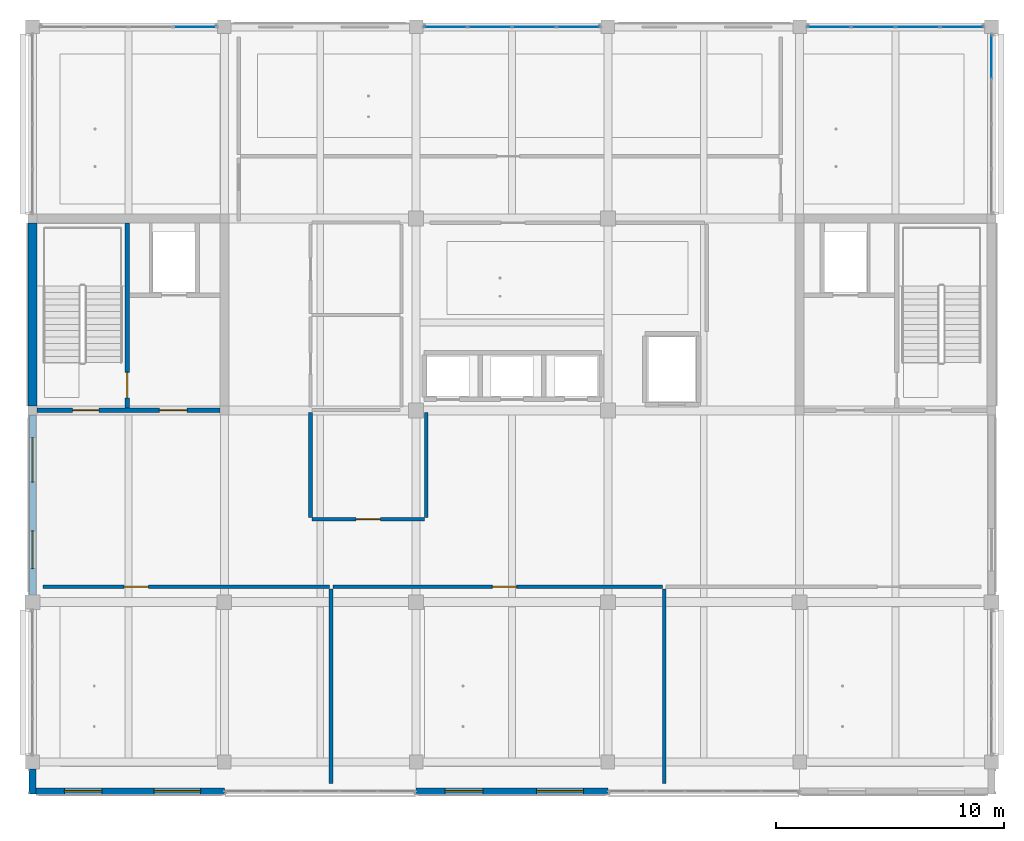
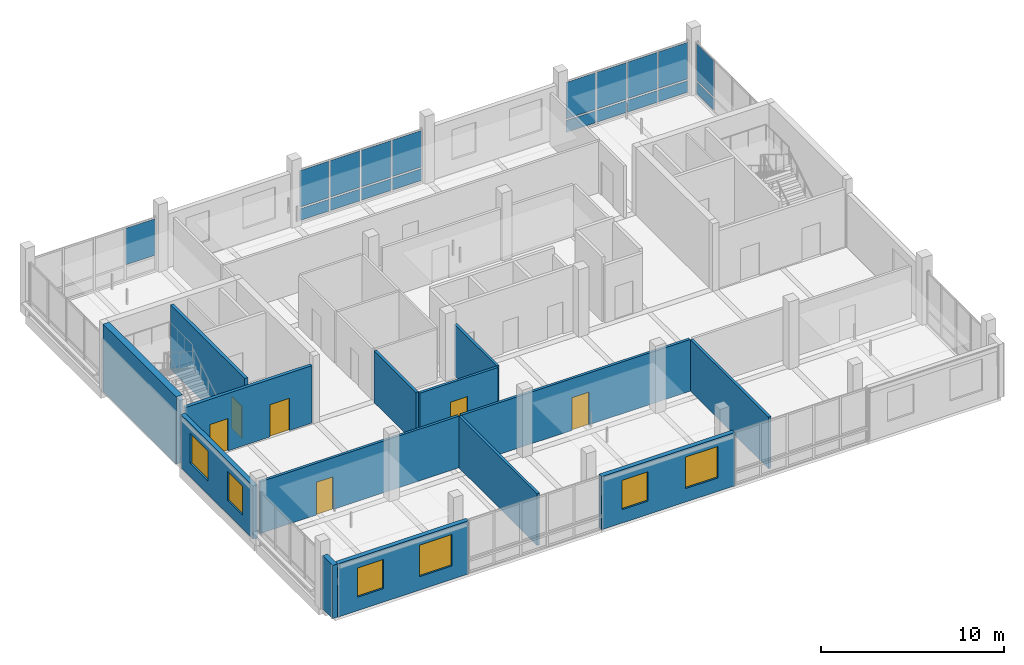
# One storey, part 11 of 29: 19 plates, 14 walls, 6 doors, 6 windows, 12 openings, 4 elements without a shape of their own.
"""IFC4 building model written with IfcOpenShell, lengths in metres."""

from ifc_helpers import new_model, si_unit, direction, frame, frame_2d, origin, origin_2d, place, context, subcontext, project, spatial, rectangle, extrude, material, layer, layer_set, type_object, element, fill, aggregate, save


model = new_model("IFC4")

# Units and contexts
model_context = context("Model", 3, precision=1e-05, world=origin(), true_north=direction((0.0, 1.0)))
body_context = subcontext(model_context, "Body", "Model", "MODEL_VIEW")
ifc_project = project(units=[si_unit("LENGTHUNIT", "METRE"), si_unit("AREAUNIT", "SQUARE_METRE"), si_unit("VOLUMEUNIT", "CUBIC_METRE"), si_unit("PLANEANGLEUNIT", "RADIAN"), si_unit("MASSUNIT", "GRAM", prefix="KILO")], contexts=[model_context])

# Site, building, storey
site_placement = place(None, origin())
site = spatial("IfcSite", under=ifc_project, at=site_placement, CompositionType="ELEMENT")
building_placement = place(site_placement, origin())
building = spatial("IfcBuilding", under=site, at=building_placement, Name="Telukmera Botanical Conservatory", CompositionType="ELEMENT")
storey_placement = place(building_placement, frame((0.0, 0.0, 55.5)))
storey = spatial("IfcBuildingStorey", under=building, at=storey_placement, Name="L12", CompositionType="ELEMENT", Elevation=55.5)

# Curtain wall, plate
ifc_material_1 = material(Name="Anodised aluminium 6063-T6", Category="aluminium")
ifc_layer_1 = layer(ifc_material_1, 0.179931640625)
ifc_layer_set_1 = layer_set([ifc_layer_1], Name="Anodised aluminium 6063-T6")
curtain_wall_type = type_object("IfcCurtainWallType", Name="Tower Research Laboratory Unitised Curtain Wall", PredefinedType="USERDEFINED", material=ifc_layer_set_1)
curtain_wall_1_placement = place(storey_placement, origin())
curtain_wall_1 = element("IfcCurtainWall", 1, at=curtain_wall_1_placement, inside=storey, type_object=curtain_wall_type, Name="Unitised Curtain Wall CW15 V4:L12:N1", ObjectType="UNITISED CURTAIN WALL", PredefinedType="USERDEFINED")
ifc_material_2 = material(Name="Spectrally selective low-E double glazing", Category="glass")
ifc_layer_2 = layer(ifc_material_2, 0.028076171875)
ifc_layer_set_2 = layer_set([ifc_layer_2], Name="Spectrally selective low-E double glazing")
plate_type = type_object("IfcPlateType", Name="Spectrally Selective Vision Double Glazing Panel 28", PredefinedType="CURTAIN_PANEL", material=ifc_layer_set_2)
plate_1_placement = place(storey_placement, frame((65.908447265625, 42.800048828125, 1.0048828125), z_axis=(0.0, 0.0, 1.0), x_axis=(1.0, 0.0, 0.0)))
plate_1 = element("IfcPlate", 2, at=plate_1_placement, type_object=plate_type, Name="CW15 panel 4.2", PredefinedType="CURTAIN_PANEL", context=body_context, shape_type="SweptSolid", body=[
    extrude(rectangle(XDim=1.85888671875, YDim=0.028076171875, at=origin_2d()), origin(), (0.0, 0.0, 1.0), 2.43505859375),
])
aggregate(curtain_wall_1, [plate_1])

# Curtain wall, plates
curtain_wall_2_placement = place(storey_placement, origin())
curtain_wall_2 = element("IfcCurtainWall", 3, at=curtain_wall_2_placement, inside=storey, type_object=curtain_wall_type, Name="Unitised Curtain Wall CW15 V4:L12:N3", ObjectType="UNITISED CURTAIN WALL", PredefinedType="USERDEFINED")
plate_2_placement = place(storey_placement, frame((76.8916015625, 42.800048828125, 0.10986328125), z_axis=(0.0, 0.0, 1.0), x_axis=(1.0, 0.0, 0.0)))
plate_2 = element("IfcPlate", 4, at=plate_2_placement, type_object=plate_type, Name="CW15 panel 1.1", PredefinedType="CURTAIN_PANEL", context=body_context, shape_type="SweptSolid", body=[
    extrude(rectangle(XDim=1.85888671875, YDim=0.028076171875, at=origin_2d()), origin(), (0.0, 0.0, 1.0), 0.784912109375),
])
plate_3_placement = place(storey_placement, frame((76.8916015625, 42.800048828125, 1.0048828125), z_axis=(0.0, 0.0, 1.0), x_axis=(1.0, 0.0, 0.0)))
plate_3 = element("IfcPlate", 5, at=plate_3_placement, type_object=plate_type, Name="CW15 panel 1.2", PredefinedType="CURTAIN_PANEL", context=body_context, shape_type="SweptSolid", body=[
    extrude(rectangle(XDim=1.85888671875, YDim=0.028076171875, at=origin_2d()), origin(), (0.0, 0.0, 1.0), 2.43505859375),
])
plate_4_placement = place(storey_placement, frame((78.825439453125, 42.800048828125, 0.10986328125), z_axis=(0.0, 0.0, 1.0), x_axis=(1.0, 0.0, 0.0)))
plate_4 = element("IfcPlate", 6, at=plate_4_placement, type_object=plate_type, Name="CW15 panel 2.1", PredefinedType="CURTAIN_PANEL", context=body_context, shape_type="SweptSolid", body=[
    extrude(rectangle(XDim=1.888916015625, YDim=0.028076171875, at=origin_2d()), origin(), (0.0, 0.0, 1.0), 0.784912109375),
])
plate_5_placement = place(storey_placement, frame((78.825439453125, 42.800048828125, 1.0048828125), z_axis=(0.0, 0.0, 1.0), x_axis=(1.0, 0.0, 0.0)))
plate_5 = element("IfcPlate", 7, at=plate_5_placement, type_object=plate_type, Name="CW15 panel 2.2", PredefinedType="CURTAIN_PANEL", context=body_context, shape_type="SweptSolid", body=[
    extrude(rectangle(XDim=1.888916015625, YDim=0.028076171875, at=origin_2d()), origin(), (0.0, 0.0, 1.0), 2.43505859375),
])
plate_6_placement = place(storey_placement, frame((80.7744140625, 42.800048828125, 0.10986328125), z_axis=(0.0, 0.0, 1.0), x_axis=(1.0, 0.0, 0.0)))
plate_6 = element("IfcPlate", 8, at=plate_6_placement, type_object=plate_type, Name="CW15 panel 3.1", PredefinedType="CURTAIN_PANEL", context=body_context, shape_type="SweptSolid", body=[
    extrude(rectangle(XDim=1.888916015625, YDim=0.028076171875, at=origin_2d()), origin(), (0.0, 0.0, 1.0), 0.784912109375),
])
plate_7_placement = place(storey_placement, frame((80.7744140625, 42.800048828125, 1.0048828125), z_axis=(0.0, 0.0, 1.0), x_axis=(1.0, 0.0, 0.0)))
plate_7 = element("IfcPlate", 9, at=plate_7_placement, type_object=plate_type, Name="CW15 panel 3.2", PredefinedType="CURTAIN_PANEL", context=body_context, shape_type="SweptSolid", body=[
    extrude(rectangle(XDim=1.888916015625, YDim=0.028076171875, at=origin_2d()), origin(), (0.0, 0.0, 1.0), 2.43505859375),
])
plate_8_placement = place(storey_placement, frame((82.70849609375, 42.800048828125, 0.10986328125), z_axis=(0.0, 0.0, 1.0), x_axis=(1.0, 0.0, 0.0)))
plate_8 = element("IfcPlate", 10, at=plate_8_placement, type_object=plate_type, Name="CW15 panel 4.1", PredefinedType="CURTAIN_PANEL", context=body_context, shape_type="SweptSolid", body=[
    extrude(rectangle(XDim=1.85888671875, YDim=0.028076171875, at=origin_2d()), origin(), (0.0, 0.0, 1.0), 0.784912109375),
])
plate_9_placement = place(storey_placement, frame((82.70849609375, 42.800048828125, 1.0048828125), z_axis=(0.0, 0.0, 1.0), x_axis=(1.0, 0.0, 0.0)))
plate_9 = element("IfcPlate", 11, at=plate_9_placement, type_object=plate_type, Name="CW15 panel 4.2", PredefinedType="CURTAIN_PANEL", context=body_context, shape_type="SweptSolid", body=[
    extrude(rectangle(XDim=1.85888671875, YDim=0.028076171875, at=origin_2d()), origin(), (0.0, 0.0, 1.0), 2.43505859375),
])
aggregate(curtain_wall_2, [plate_2, plate_3, plate_4, plate_5, plate_6, plate_7, plate_8, plate_9])

curtain_wall_3_placement = place(storey_placement, origin())
curtain_wall_3 = element("IfcCurtainWall", 12, at=curtain_wall_3_placement, inside=storey, type_object=curtain_wall_type, Name="Unitised Curtain Wall CW15 V4:L12:N5", ObjectType="UNITISED CURTAIN WALL", PredefinedType="USERDEFINED")
plate_10_placement = place(storey_placement, frame((93.69140625, 42.800048828125, 0.10986328125), z_axis=(0.0, 0.0, 1.0), x_axis=(1.0, 0.0, 0.0)))
plate_10 = element("IfcPlate", 13, at=plate_10_placement, type_object=plate_type, Name="CW15 panel 1.1", PredefinedType="CURTAIN_PANEL", context=body_context, shape_type="SweptSolid", body=[
    extrude(rectangle(XDim=1.85888671875, YDim=0.028076171875, at=origin_2d()), origin(), (0.0, 0.0, 1.0), 0.784912109375),
])
plate_11_placement = place(storey_placement, frame((93.69140625, 42.800048828125, 1.0048828125), z_axis=(0.0, 0.0, 1.0), x_axis=(1.0, 0.0, 0.0)))
plate_11 = element("IfcPlate", 14, at=plate_11_placement, type_object=plate_type, Name="CW15 panel 1.2", PredefinedType="CURTAIN_PANEL", context=body_context, shape_type="SweptSolid", body=[
    extrude(rectangle(XDim=1.85888671875, YDim=0.028076171875, at=origin_2d()), origin(), (0.0, 0.0, 1.0), 2.43505859375),
])
plate_12_placement = place(storey_placement, frame((95.62548828125, 42.800048828125, 0.10986328125), z_axis=(0.0, 0.0, 1.0), x_axis=(1.0, 0.0, 0.0)))
plate_12 = element("IfcPlate", 15, at=plate_12_placement, type_object=plate_type, Name="CW15 panel 2.1", PredefinedType="CURTAIN_PANEL", context=body_context, shape_type="SweptSolid", body=[
    extrude(rectangle(XDim=1.888916015625, YDim=0.028076171875, at=origin_2d()), origin(), (0.0, 0.0, 1.0), 0.784912109375),
])
plate_13_placement = place(storey_placement, frame((95.62548828125, 42.800048828125, 1.0048828125), z_axis=(0.0, 0.0, 1.0), x_axis=(1.0, 0.0, 0.0)))
plate_13 = element("IfcPlate", 16, at=plate_13_placement, type_object=plate_type, Name="CW15 panel 2.2", PredefinedType="CURTAIN_PANEL", context=body_context, shape_type="SweptSolid", body=[
    extrude(rectangle(XDim=1.888916015625, YDim=0.028076171875, at=origin_2d()), origin(), (0.0, 0.0, 1.0), 2.43505859375),
])
plate_14_placement = place(storey_placement, frame((97.574462890625, 42.800048828125, 0.10986328125), z_axis=(0.0, 0.0, 1.0), x_axis=(1.0, 0.0, 0.0)))
plate_14 = element("IfcPlate", 17, at=plate_14_placement, type_object=plate_type, Name="CW15 panel 3.1", PredefinedType="CURTAIN_PANEL", context=body_context, shape_type="SweptSolid", body=[
    extrude(rectangle(XDim=1.888916015625, YDim=0.028076171875, at=origin_2d()), origin(), (0.0, 0.0, 1.0), 0.784912109375),
])
plate_15_placement = place(storey_placement, frame((97.574462890625, 42.800048828125, 1.0048828125), z_axis=(0.0, 0.0, 1.0), x_axis=(1.0, 0.0, 0.0)))
plate_15 = element("IfcPlate", 18, at=plate_15_placement, type_object=plate_type, Name="CW15 panel 3.2", PredefinedType="CURTAIN_PANEL", context=body_context, shape_type="SweptSolid", body=[
    extrude(rectangle(XDim=1.888916015625, YDim=0.028076171875, at=origin_2d()), origin(), (0.0, 0.0, 1.0), 2.43505859375),
])
plate_16_placement = place(storey_placement, frame((99.508544921875, 42.800048828125, 0.10986328125), z_axis=(0.0, 0.0, 1.0), x_axis=(1.0, 0.0, 0.0)))
plate_16 = element("IfcPlate", 19, at=plate_16_placement, type_object=plate_type, Name="CW15 panel 4.1", PredefinedType="CURTAIN_PANEL", context=body_context, shape_type="SweptSolid", body=[
    extrude(rectangle(XDim=1.85888671875, YDim=0.028076171875, at=origin_2d()), origin(), (0.0, 0.0, 1.0), 0.784912109375),
])
plate_17_placement = place(storey_placement, frame((99.508544921875, 42.800048828125, 1.0048828125), z_axis=(0.0, 0.0, 1.0), x_axis=(1.0, 0.0, 0.0)))
plate_17 = element("IfcPlate", 20, at=plate_17_placement, type_object=plate_type, Name="CW15 panel 4.2", PredefinedType="CURTAIN_PANEL", context=body_context, shape_type="SweptSolid", body=[
    extrude(rectangle(XDim=1.85888671875, YDim=0.028076171875, at=origin_2d()), origin(), (0.0, 0.0, 1.0), 2.43505859375),
])
aggregate(curtain_wall_3, [plate_10, plate_11, plate_12, plate_13, plate_14, plate_15, plate_16, plate_17])

curtain_wall_4_placement = place(storey_placement, origin())
curtain_wall_4 = element("IfcCurtainWall", 21, at=curtain_wall_4_placement, inside=storey, type_object=curtain_wall_type, Name="Unitised Curtain Wall CW15 V4:L12:E4", ObjectType="UNITISED CURTAIN WALL", PredefinedType="USERDEFINED")
plate_18_placement = place(storey_placement, frame((100.800048828125, 41.49609375, 0.10986328125), z_axis=(0.0, 0.0, 1.0), x_axis=(0.0, 1.0, 0.0)))
plate_18 = element("IfcPlate", 22, at=plate_18_placement, type_object=plate_type, Name="CW15 panel 4.1", PredefinedType="CURTAIN_PANEL", context=body_context, shape_type="SweptSolid", body=[
    extrude(rectangle(XDim=1.884033203125, YDim=0.028076171875, at=origin_2d()), origin(), (0.0, 0.0, 1.0), 0.784912109375),
])
plate_19_placement = place(storey_placement, frame((100.800048828125, 41.49609375, 1.0048828125), z_axis=(0.0, 0.0, 1.0), x_axis=(0.0, 1.0, 0.0)))
plate_19 = element("IfcPlate", 23, at=plate_19_placement, type_object=plate_type, Name="CW15 panel 4.2", PredefinedType="CURTAIN_PANEL", context=body_context, shape_type="SweptSolid", body=[
    extrude(rectangle(XDim=1.884033203125, YDim=0.028076171875, at=origin_2d()), origin(), (0.0, 0.0, 1.0), 2.43505859375),
])
aggregate(curtain_wall_4, [plate_18, plate_19])

# Wall, openings, windows
ifc_material_3 = material(Name="Precast concrete C40/50", Category="concrete")
ifc_layer_3 = layer(ifc_material_3, 0.280029296875)
ifc_layer_set_3 = layer_set([ifc_layer_3], Name="Precast concrete C40/50")
wall_type_1 = type_object("IfcWallType", Name="Exterior Laboratory Modular Precast Wall 280", PredefinedType="ELEMENTEDWALL", material=ifc_layer_set_3)
wall_1_placement = place(storey_placement, frame((58.951904296875, 9.320068359375, 0.0), z_axis=(0.0, 0.0, 1.0), x_axis=(1.0, 0.0, 0.0)))
wall_1 = element("IfcWall", 24, at=wall_1_placement, inside=storey, type_object=wall_type_1, Name="Exterior Precast Wall EW06 V4:L12:S1", PredefinedType="ELEMENTEDWALL", context=body_context, shape_type="SweptSolid", body=[
    extrude(rectangle(XDim=8.24609375, YDim=0.280029296875, at=frame_2d((4.123046875, 0.0))), origin(), (0.0, 0.0, 1.0), 3.550048828125),
])
opening_1_placement = place(wall_1_placement, frame((1.236572265625, 0.0, 0.89990234375)))
opening_1 = element("IfcOpeningElement", 25, at=opening_1_placement, cuts=wall_1, Name="Opening W10", PredefinedType="OPENING", context=body_context, shape_type="SweptSolid", body=[
    extrude(rectangle(XDim=1.64990234375, YDim=1.949951171875, at=frame_2d((0.824951171875, 0.97509765625))), frame((0.0, 0.14990234375, 0.0), z_axis=(0.0, -1.0, 0.0), x_axis=(1.0, 0.0, 0.0)), (0.0, 0.0, 1.0), 0.300048828125),
])
opening_2_placement = place(wall_1_placement, frame((5.159423828125, 0.0, 0.89990234375)))
opening_2 = element("IfcOpeningElement", 26, at=opening_2_placement, cuts=wall_1, Name="Opening W14", PredefinedType="OPENING", context=body_context, shape_type="SweptSolid", body=[
    extrude(rectangle(XDim=2.050048828125, YDim=2.10009765625, at=frame_2d((1.02490234375, 1.050048828125))), frame((0.0, 0.14990234375, 0.0), z_axis=(0.0, -1.0, 0.0), x_axis=(1.0, 0.0, 0.0)), (0.0, 0.0, 1.0), 0.300048828125),
])
ifc_material_4 = material(Name="Thermally broken anodised aluminium frame with low-E double glazing", Category="aluminium")
window_type_1 = type_object("IfcWindowType", Name="Double Horizontal Phytochemistry Lab Window 1650x1950", PartitioningType="DOUBLE_PANEL_HORIZONTAL", PredefinedType="WINDOW", material=ifc_material_4)
window_1_placement = place(opening_1_placement, origin())
window_1 = element("IfcWindow", 27, at=window_1_placement, inside=storey, type_object=window_type_1, Name="Facade Window W10 V4:L12:S1 1", OverallHeight=1.949951171875, OverallWidth=1.64990234375, PartitioningType="DOUBLE_PANEL_HORIZONTAL", PredefinedType="WINDOW", context=body_context, shape_type="SweptSolid", body=[
    extrude(rectangle(XDim=1.64990234375, YDim=1.949951171875, at=frame_2d((0.824951171875, 0.97509765625))), frame((0.0, 0.030029296875, 0.0), z_axis=(0.0, -1.0, 0.0), x_axis=(1.0, 0.0, 0.0)), (0.0, 0.0, 1.0), 0.06005859375),
])
fill(opening_1, window_1)
window_type_2 = type_object("IfcWindowType", Name="Triple Vertical Microscopy Lab Window 2050x2100", PartitioningType="TRIPLE_PANEL_VERTICAL", PredefinedType="WINDOW", material=ifc_material_4)
window_2_placement = place(opening_2_placement, origin())
window_2 = element("IfcWindow", 28, at=window_2_placement, inside=storey, type_object=window_type_2, Name="Facade Window W14 V4:L12:S1 2", OverallHeight=2.10009765625, OverallWidth=2.050048828125, PartitioningType="TRIPLE_PANEL_VERTICAL", PredefinedType="WINDOW", context=body_context, shape_type="SweptSolid", body=[
    extrude(rectangle(XDim=2.050048828125, YDim=2.10009765625, at=frame_2d((1.02490234375, 1.050048828125))), frame((0.0, 0.030029296875, 0.0), z_axis=(0.0, -1.0, 0.0), x_axis=(1.0, 0.0, 0.0)), (0.0, 0.0, 1.0), 0.06005859375),
])
fill(opening_2, window_2)

wall_2_placement = place(storey_placement, frame((75.60205078125, 9.320068359375, 0.0), z_axis=(0.0, 0.0, 1.0), x_axis=(1.0, 0.0, 0.0)))
wall_2 = element("IfcWall", 29, at=wall_2_placement, inside=storey, type_object=wall_type_1, Name="Exterior Precast Wall EW06 V4:L12:S3", PredefinedType="ELEMENTEDWALL", context=body_context, shape_type="SweptSolid", body=[
    extrude(rectangle(XDim=8.39599609375, YDim=0.280029296875, at=frame_2d((4.197998046875, 0.0))), origin(), (0.0, 0.0, 1.0), 3.550048828125),
])
opening_3_placement = place(wall_2_placement, frame((1.27392578125, 0.0, 0.89990234375)))
opening_3 = element("IfcOpeningElement", 30, at=opening_3_placement, cuts=wall_2, Name="Opening W10", PredefinedType="OPENING", context=body_context, shape_type="SweptSolid", body=[
    extrude(rectangle(XDim=1.64990234375, YDim=1.949951171875, at=frame_2d((0.824951171875, 0.97509765625))), frame((0.0, 0.14990234375, 0.0), z_axis=(0.0, -1.0, 0.0), x_axis=(1.0, 0.0, 0.0)), (0.0, 0.0, 1.0), 0.300048828125),
])
opening_4_placement = place(wall_2_placement, frame((5.27197265625, 0.0, 0.89990234375)))
opening_4 = element("IfcOpeningElement", 31, at=opening_4_placement, cuts=wall_2, Name="Opening W14", PredefinedType="OPENING", context=body_context, shape_type="SweptSolid", body=[
    extrude(rectangle(XDim=2.050048828125, YDim=2.10009765625, at=frame_2d((1.02490234375, 1.050048828125))), frame((0.0, 0.14990234375, 0.0), z_axis=(0.0, -1.0, 0.0), x_axis=(1.0, 0.0, 0.0)), (0.0, 0.0, 1.0), 0.300048828125),
])
window_3_placement = place(opening_3_placement, origin())
window_3 = element("IfcWindow", 32, at=window_3_placement, inside=storey, type_object=window_type_1, Name="Facade Window W10 V4:L12:S3 1", OverallHeight=1.949951171875, OverallWidth=1.64990234375, PartitioningType="DOUBLE_PANEL_HORIZONTAL", PredefinedType="WINDOW", context=body_context, shape_type="SweptSolid", body=[
    extrude(rectangle(XDim=1.64990234375, YDim=1.949951171875, at=frame_2d((0.824951171875, 0.97509765625))), frame((0.0, 0.030029296875, 0.0), z_axis=(0.0, -1.0, 0.0), x_axis=(1.0, 0.0, 0.0)), (0.0, 0.0, 1.0), 0.06005859375),
])
fill(opening_3, window_3)
window_4_placement = place(opening_4_placement, origin())
window_4 = element("IfcWindow", 33, at=window_4_placement, inside=storey, type_object=window_type_2, Name="Facade Window W14 V4:L12:S3 2", OverallHeight=2.10009765625, OverallWidth=2.050048828125, PartitioningType="TRIPLE_PANEL_VERTICAL", PredefinedType="WINDOW", context=body_context, shape_type="SweptSolid", body=[
    extrude(rectangle(XDim=2.050048828125, YDim=2.10009765625, at=frame_2d((1.02490234375, 1.050048828125))), frame((0.0, 0.030029296875, 0.0), z_axis=(0.0, -1.0, 0.0), x_axis=(1.0, 0.0, 0.0)), (0.0, 0.0, 1.0), 0.06005859375),
])
fill(opening_4, window_4)

wall_3_placement = place(storey_placement, frame((58.800048828125, 17.927001953125, 0.0), z_axis=(0.0, 0.0, 1.0), x_axis=(0.0, 1.0, 0.0)))
wall_3 = element("IfcWall", 34, at=wall_3_placement, inside=storey, type_object=wall_type_1, Name="Exterior Precast Wall EW06 V4:L12:W2", PredefinedType="ELEMENTEDWALL", context=body_context, shape_type="SweptSolid", body=[
    extrude(rectangle(XDim=7.87109375, YDim=0.280029296875, at=frame_2d((3.935546875, 0.0))), origin(), (0.0, 0.0, 1.0), 3.550048828125),
])
opening_5_placement = place(wall_3_placement, frame((1.142578125, 0.0, 0.89990234375)))
opening_5 = element("IfcOpeningElement", 35, at=opening_5_placement, cuts=wall_3, Name="Opening W10", PredefinedType="OPENING", context=body_context, shape_type="SweptSolid", body=[
    extrude(rectangle(XDim=1.64990234375, YDim=1.949951171875, at=frame_2d((0.824951171875, 0.97509765625))), frame((0.0, 0.14990234375, 0.0), z_axis=(0.0, -1.0, 0.0), x_axis=(1.0, 0.0, 0.0)), (0.0, 0.0, 1.0), 0.300048828125),
])
opening_6_placement = place(wall_3_placement, frame((4.92822265625, 0.0, 0.89990234375)))
opening_6 = element("IfcOpeningElement", 36, at=opening_6_placement, cuts=wall_3, Name="Opening W13", PredefinedType="OPENING", context=body_context, shape_type="SweptSolid", body=[
    extrude(rectangle(XDim=1.949951171875, YDim=2.0, at=frame_2d((0.97509765625, 1.0))), frame((0.0, 0.14990234375, 0.0), z_axis=(0.0, -1.0, 0.0), x_axis=(1.0, 0.0, 0.0)), (0.0, 0.0, 1.0), 0.300048828125),
])
window_5_placement = place(opening_5_placement, origin())
window_5 = element("IfcWindow", 37, at=window_5_placement, inside=storey, type_object=window_type_1, Name="Facade Window W10 V4:L12:W2 1", OverallHeight=1.949951171875, OverallWidth=1.64990234375, PartitioningType="DOUBLE_PANEL_HORIZONTAL", PredefinedType="WINDOW", context=body_context, shape_type="SweptSolid", body=[
    extrude(rectangle(XDim=1.64990234375, YDim=1.949951171875, at=frame_2d((0.824951171875, 0.97509765625))), frame((0.0, 0.030029296875, 0.0), z_axis=(0.0, -1.0, 0.0), x_axis=(1.0, 0.0, 0.0)), (0.0, 0.0, 1.0), 0.06005859375),
])
fill(opening_5, window_5)
window_type_3 = type_object("IfcWindowType", Name="Triple Vertical Tissue Culture Lab Window 1950x2000", PartitioningType="TRIPLE_PANEL_VERTICAL", PredefinedType="WINDOW", material=ifc_material_4)
window_6_placement = place(opening_6_placement, origin())
window_6 = element("IfcWindow", 38, at=window_6_placement, inside=storey, type_object=window_type_3, Name="Facade Window W13 V4:L12:W2 2", OverallHeight=2.0, OverallWidth=1.949951171875, PartitioningType="TRIPLE_PANEL_VERTICAL", PredefinedType="WINDOW", context=body_context, shape_type="SweptSolid", body=[
    extrude(rectangle(XDim=1.949951171875, YDim=2.0, at=frame_2d((0.97509765625, 1.0))), frame((0.0, 0.030029296875, 0.0), z_axis=(0.0, -1.0, 0.0), x_axis=(1.0, 0.0, 0.0)), (0.0, 0.0, 1.0), 0.06005859375),
])
fill(opening_6, window_6)

# Wall
ifc_material_5 = material(Name="Terracotta-faced precast concrete C40/50", Category="masonry")
ifc_layer_4 = layer(ifc_material_5, 0.300048828125)
ifc_layer_set_4 = layer_set([ifc_layer_4], Name="Terracotta-faced precast concrete C40/50")
wall_type_2 = type_object("IfcWallType", Name="Exterior Polychrome Terracotta Precast Wall 300", PredefinedType="SOLIDWALL", material=ifc_layer_set_4)
wall_4_placement = place(storey_placement, frame((58.800048828125, 9.199951171875, 0.0), z_axis=(0.0, 0.0, 1.0), x_axis=(0.0, 1.0, 0.0)))
element("IfcWall", 39, at=wall_4_placement, inside=storey, type_object=wall_type_2, Name="Exterior Precast Wall EW02 V4:L12:SWC", PredefinedType="SOLIDWALL", context=body_context, shape_type="SweptSolid", body=[
    extrude(rectangle(XDim=1.09814453125, YDim=0.300048828125, at=frame_2d((0.549072265625, 0.0))), origin(), (0.0, 0.0, 1.0), 3.550048828125),
])

# Wall, openings, doors
ifc_material_6 = material(Name="Concrete C40/50", Category="concrete")
ifc_layer_5 = layer(ifc_material_6, 0.199951171875)
ifc_layer_set_5 = layer_set([ifc_layer_5], Name="Concrete C40/50")
wall_type_3 = type_object("IfcWallType", Name="WT-CORE-200", PredefinedType="SOLIDWALL", material=ifc_layer_set_5)
wall_5_placement = place(storey_placement, frame((59.0, 26.0, 0.0), z_axis=(0.0, 0.0, 1.0), x_axis=(1.0, 0.0, 0.0)))
wall_5 = element("IfcWall", 40, at=wall_5_placement, inside=storey, type_object=wall_type_3, Name="L12 Core C1 South Fire Wall", PredefinedType="SOLIDWALL", context=body_context, shape_type="SweptSolid", body=[
    extrude(rectangle(XDim=8.0, YDim=0.199951171875, at=frame_2d((4.0, 0.0))), origin(), (0.0, 0.0, 1.0), 3.830078125),
])
opening_7_placement = place(wall_5_placement, frame((1.550048828125, 0.0, 0.0)))
opening_7 = element("IfcOpeningElement", 41, at=opening_7_placement, cuts=wall_5, Name="Opening FD60A", PredefinedType="OPENING", context=body_context, shape_type="SweptSolid", body=[
    extrude(rectangle(XDim=1.14990234375, YDim=2.14990234375, at=frame_2d((0.574951171875, 1.074951171875))), frame((0.0, 0.10986328125, 0.0), z_axis=(0.0, -1.0, 0.0), x_axis=(1.0, 0.0, 0.0)), (0.0, 0.0, 1.0), 0.219970703125),
])
opening_8_placement = place(wall_5_placement, frame((5.35009765625, 0.0, 0.0)))
opening_8 = element("IfcOpeningElement", 42, at=opening_8_placement, cuts=wall_5, Name="Opening FD60C", PredefinedType="OPENING", context=body_context, shape_type="SweptSolid", body=[
    extrude(rectangle(XDim=1.219970703125, YDim=2.14990234375, at=frame_2d((0.60986328125, 1.074951171875))), frame((0.0, 0.10986328125, 0.0), z_axis=(0.0, -1.0, 0.0), x_axis=(1.0, 0.0, 0.0)), (0.0, 0.0, 1.0), 0.219970703125),
])
ifc_material_7 = material(Name="Hardwood fire door", Category="wood")
door_type_1 = type_object("IfcDoorType", Name="DT-FD60-01", OperationType="NOTDEFINED", PredefinedType="DOOR", material=ifc_material_7)
door_1_placement = place(opening_7_placement, origin())
door_1 = element("IfcDoor", 43, at=door_1_placement, inside=storey, type_object=door_type_1, Name="L12 Stair ST1 Escape Door", OperationType="SINGLE_SWING_RIGHT", OverallHeight=2.14990234375, OverallWidth=1.14990234375, PredefinedType="DOOR", context=body_context, shape_type="SweptSolid", body=[
    extrude(rectangle(XDim=1.14990234375, YDim=2.14990234375, at=frame_2d((0.574951171875, 1.074951171875))), frame((0.0, 0.02490234375, 0.0), z_axis=(0.0, -1.0, 0.0), x_axis=(1.0, 0.0, 0.0)), (0.0, 0.0, 1.0), 0.050048828125),
])
fill(opening_7, door_1)
door_type_2 = type_object("IfcDoorType", Name="DT-FD60-03", OperationType="NOTDEFINED", PredefinedType="DOOR", material=ifc_material_7)
door_2_placement = place(opening_8_placement, origin())
door_2 = element("IfcDoor", 44, at=door_2_placement, inside=storey, type_object=door_type_2, Name="L12 Firefighting Lobby C1 Door", OperationType="SINGLE_SWING_LEFT", OverallHeight=2.14990234375, OverallWidth=1.219970703125, PredefinedType="DOOR", context=body_context, shape_type="SweptSolid", body=[
    extrude(rectangle(XDim=1.219970703125, YDim=2.14990234375, at=frame_2d((0.60986328125, 1.074951171875))), frame((0.0, 0.02490234375, 0.0), z_axis=(0.0, -1.0, 0.0), x_axis=(1.0, 0.0, 0.0)), (0.0, 0.0, 1.0), 0.050048828125),
])
fill(opening_8, door_2)

# Wall, opening, door
wall_6_placement = place(storey_placement, frame((62.949951171875, 26.10009765625, 0.0), z_axis=(0.0, 0.0, 1.0), x_axis=(0.0, 1.0, 0.0)))
wall_6 = element("IfcWall", 45, at=wall_6_placement, inside=storey, type_object=wall_type_3, Name="L12 Core C1 Stair-Lobby Wall", PredefinedType="SOLIDWALL", context=body_context, shape_type="SweptSolid", body=[
    extrude(rectangle(XDim=8.099853515625, YDim=0.199951171875, at=frame_2d((4.0498046875, 0.0))), origin(), (0.0, 0.0, 1.0), 4.300048828125),
])
opening_9_placement = place(wall_6_placement, frame((0.449951171875, 0.0, 0.0)))
opening_9 = element("IfcOpeningElement", 46, at=opening_9_placement, cuts=wall_6, Name="Opening FD60B", PredefinedType="OPENING", context=body_context, shape_type="SweptSolid", body=[
    extrude(rectangle(XDim=1.1201171875, YDim=2.14990234375, at=frame_2d((0.56005859375, 1.074951171875))), frame((0.0, 0.10986328125, 0.0), z_axis=(0.0, -1.0, 0.0), x_axis=(1.0, 0.0, 0.0)), (0.0, 0.0, 1.0), 0.219970703125),
])
door_type_3 = type_object("IfcDoorType", Name="DT-FD60-02", OperationType="NOTDEFINED", PredefinedType="DOOR", material=ifc_material_7)
door_3_placement = place(opening_9_placement, origin())
door_3 = element("IfcDoor", 47, at=door_3_placement, inside=storey, type_object=door_type_3, Name="L12 Firefighting Lobby C1 to ST1 Door", OperationType="SINGLE_SWING_RIGHT", OverallHeight=2.14990234375, OverallWidth=1.1201171875, PredefinedType="DOOR", context=body_context, shape_type="SweptSolid", body=[
    extrude(rectangle(XDim=1.1201171875, YDim=2.14990234375, at=frame_2d((0.56005859375, 1.074951171875))), frame((0.0, 0.02490234375, 0.0), z_axis=(0.0, -1.0, 0.0), x_axis=(1.0, 0.0, 0.0)), (0.0, 0.0, 1.0), 0.050048828125),
])
fill(opening_9, door_3)

# Wall
ifc_material_8 = material(Name="Gypsum acoustic stud partition")
ifc_layer_6 = layer(ifc_material_8, 0.159912109375)
ifc_layer_set_6 = layer_set([ifc_layer_6], Name="Gypsum acoustic stud partition")
wall_type_4 = type_object("IfcWallType", Name="WT-LAB-160", PredefinedType="PARTITIONING", material=ifc_layer_set_6)
wall_7_placement = place(storey_placement, frame((76.050048828125, 21.300048828125, 0.0), z_axis=(0.0, 0.0, 1.0), x_axis=(0.0, 1.0, 0.0)))
element("IfcWall", 48, at=wall_7_placement, inside=storey, type_object=wall_type_4, Name="L12 Interior Partition 09", PredefinedType="PARTITIONING", context=body_context, shape_type="SweptSolid", body=[
    extrude(rectangle(XDim=4.599853515625, YDim=0.159912109375, at=frame_2d((2.2998046875, 0.0))), origin(), (0.0, 0.0, 1.0), 3.449951171875),
])

# Wall, opening, door
wall_8_placement = place(storey_placement, frame((71.050048828125, 21.22509765625, 0.0), z_axis=(0.0, 0.0, 1.0), x_axis=(1.0, 0.0, 0.0)))
wall_8 = element("IfcWall", 49, at=wall_8_placement, inside=storey, type_object=wall_type_4, Name="L12 Interior Partition 10", PredefinedType="PARTITIONING", context=body_context, shape_type="SweptSolid", body=[
    extrude(rectangle(XDim=4.909912109375, YDim=0.159912109375, at=frame_2d((2.455078125, 0.0))), origin(), (0.0, 0.0, 1.0), 3.449951171875),
])
opening_10_placement = place(wall_8_placement, frame((1.925048828125, 0.0, 0.0)))
opening_10 = element("IfcOpeningElement", 50, at=opening_10_placement, cuts=wall_8, Name="Opening ID12", PredefinedType="OPENING", context=body_context, shape_type="SweptSolid", body=[
    extrude(rectangle(XDim=1.06005859375, YDim=2.179931640625, at=frame_2d((0.530029296875, 1.08984375))), frame((0.0, 0.08984375, 0.0), z_axis=(0.0, -1.0, 0.0), x_axis=(1.0, 0.0, 0.0)), (0.0, 0.0, 1.0), 0.179931640625),
])
ifc_material_9 = material(Name="Light-tight microscopy door")
door_type_4 = type_object("IfcDoorType", Name="DT-MIC-106", OperationType="NOTDEFINED", PredefinedType="DOOR", material=ifc_material_9)
door_4_placement = place(opening_10_placement, origin())
door_4 = element("IfcDoor", 51, at=door_4_placement, inside=storey, type_object=door_type_4, Name="L12 Confocal Laser Darkroom Door", OperationType="SINGLE_SWING_LEFT", OverallHeight=2.179931640625, OverallWidth=1.06005859375, PredefinedType="DOOR", context=body_context, shape_type="SweptSolid", body=[
    extrude(rectangle(XDim=1.06005859375, YDim=2.179931640625, at=frame_2d((0.530029296875, 1.08984375))), frame((0.0, 0.02490234375, 0.0), z_axis=(0.0, -1.0, 0.0), x_axis=(1.0, 0.0, 0.0)), (0.0, 0.0, 1.0), 0.050048828125),
])
fill(opening_10, door_4)

wall_9_placement = place(storey_placement, frame((59.25, 18.27490234375, 0.0), z_axis=(0.0, 0.0, 1.0), x_axis=(1.0, 0.0, 0.0)))
wall_9 = element("IfcWall", 52, at=wall_9_placement, inside=storey, type_object=wall_type_4, Name="L12 Interior Partition 11", PredefinedType="PARTITIONING", context=body_context, shape_type="SweptSolid", body=[
    extrude(rectangle(XDim=12.550048828125, YDim=0.159912109375, at=frame_2d((6.27490234375, 0.0))), origin(), (0.0, 0.0, 1.0), 3.449951171875),
])
opening_11_placement = place(wall_9_placement, frame((3.56201171875, 0.0, 0.0)))
opening_11 = element("IfcOpeningElement", 53, at=opening_11_placement, cuts=wall_9, Name="Opening ID12", PredefinedType="OPENING", context=body_context, shape_type="SweptSolid", body=[
    extrude(rectangle(XDim=1.06005859375, YDim=2.179931640625, at=frame_2d((0.530029296875, 1.08984375))), frame((0.0, 0.08984375, 0.0), z_axis=(0.0, -1.0, 0.0), x_axis=(1.0, 0.0, 0.0)), (0.0, 0.0, 1.0), 0.179931640625),
])
door_5_placement = place(opening_11_placement, frame((1.06005859375, 0.0, 0.0), z_axis=(0.0, 0.0, 1.0), x_axis=(-1.0, 0.0, 0.0)))
door_5 = element("IfcDoor", 54, at=door_5_placement, inside=storey, type_object=door_type_4, Name="L12 Microscopy Laboratory Door", OperationType="SINGLE_SWING_RIGHT", OverallHeight=2.179931640625, OverallWidth=1.06005859375, PredefinedType="DOOR", context=body_context, shape_type="SweptSolid", body=[
    extrude(rectangle(XDim=1.06005859375, YDim=2.179931640625, at=frame_2d((0.530029296875, 1.08984375))), frame((0.0, 0.02490234375, 0.0), z_axis=(0.0, -1.0, 0.0), x_axis=(1.0, 0.0, 0.0)), (0.0, 0.0, 1.0), 0.050048828125),
])
fill(opening_11, door_5)

wall_10_placement = place(storey_placement, frame((71.949951171875, 18.27490234375, 0.0), z_axis=(0.0, 0.0, 1.0), x_axis=(1.0, 0.0, 0.0)))
wall_10 = element("IfcWall", 55, at=wall_10_placement, inside=storey, type_object=wall_type_4, Name="L12 Interior Partition 12", PredefinedType="PARTITIONING", context=body_context, shape_type="SweptSolid", body=[
    extrude(rectangle(XDim=14.449951171875, YDim=0.159912109375, at=frame_2d((7.22509765625, 0.0))), origin(), (0.0, 0.0, 1.0), 3.449951171875),
])
opening_12_placement = place(wall_10_placement, frame((6.994873046875, 0.0, 0.0)))
opening_12 = element("IfcOpeningElement", 56, at=opening_12_placement, cuts=wall_10, Name="Opening ID12", PredefinedType="OPENING", context=body_context, shape_type="SweptSolid", body=[
    extrude(rectangle(XDim=1.06005859375, YDim=2.179931640625, at=frame_2d((0.530029296875, 1.08984375))), frame((0.0, 0.08984375, 0.0), z_axis=(0.0, -1.0, 0.0), x_axis=(1.0, 0.0, 0.0)), (0.0, 0.0, 1.0), 0.179931640625),
])
door_6_placement = place(opening_12_placement, frame((1.06005859375, 0.0, 0.0), z_axis=(0.0, 0.0, 1.0), x_axis=(-1.0, 0.0, 0.0)))
door_6 = element("IfcDoor", 57, at=door_6_placement, inside=storey, type_object=door_type_4, Name="L12 Scanning Electron Microscopy Laboratory Door", OperationType="SINGLE_SWING_LEFT", OverallHeight=2.179931640625, OverallWidth=1.06005859375, PredefinedType="DOOR", context=body_context, shape_type="SweptSolid", body=[
    extrude(rectangle(XDim=1.06005859375, YDim=2.179931640625, at=frame_2d((0.530029296875, 1.08984375))), frame((0.0, 0.02490234375, 0.0), z_axis=(0.0, -1.0, 0.0), x_axis=(1.0, 0.0, 0.0)), (0.0, 0.0, 1.0), 0.050048828125),
])
fill(opening_12, door_6)

# Walls
wall_11_placement = place(storey_placement, frame((70.97509765625, 21.31494140625, 0.0), z_axis=(0.0, 0.0, 1.0), x_axis=(0.0, 1.0, 0.0)))
element("IfcWall", 58, at=wall_11_placement, inside=storey, type_object=wall_type_4, Name="L12 Interior Partition 14", PredefinedType="PARTITIONING", context=body_context, shape_type="SweptSolid", body=[
    extrude(rectangle(XDim=4.5849609375, YDim=0.159912109375, at=frame_2d((2.29248046875, 0.0))), origin(), (0.0, 0.0, 1.0), 3.449951171875),
])
for number, where, z_axis, x_axis, name in (
    (59, (71.875, 9.64990234375, 0.0), (0.0, 0.0, 1.0), (0.0, 1.0, 0.0), "L12 Interior Partition 15"),
    (60, (86.47509765625, 9.64990234375, 0.0), (0.0, 0.0, 1.0), (0.0, 1.0, 0.0), "L12 Interior Partition 16"),
):
    element("IfcWall", number, at=place(storey_placement, frame(where, z_axis=z_axis, x_axis=x_axis)), inside=storey, type_object=wall_type_4, Name=name, PredefinedType="PARTITIONING", context=body_context, shape_type="SweptSolid", body=[
        extrude(rectangle(XDim=8.53515625, YDim=0.159912109375, at=frame_2d((4.267578125, 0.0))), origin(), (0.0, 0.0, 1.0), 3.449951171875),
    ])
ifc_material_10 = material(Name="Concrete C50/60", Category="concrete")
ifc_layer_7 = layer(ifc_material_10, 0.39990234375)
ifc_layer_set_7 = layer_set([ifc_layer_7], Name="Concrete C50/60")
wall_type_5 = type_object("IfcWallType", Name="Wall_CW1", PredefinedType="SHEAR", material=ifc_layer_set_7)
wall_12_placement = place(storey_placement, frame((58.800048828125, 26.199951171875, 0.0), z_axis=(0.0, 0.0, 1.0), x_axis=(0.0, 1.0, 0.0)))
element("IfcWall", 61, at=wall_12_placement, inside=storey, type_object=wall_type_5, Name="Core C1 Shear Wall West L12", PredefinedType="SHEAR", context=body_context, shape_type="SweptSolid", body=[
    extrude(rectangle(XDim=8.0, YDim=0.39990234375, at=frame_2d((4.0, 0.0))), origin(), (0.0, 0.0, 1.0), 4.5),
])

save(model, "model.ifc")
